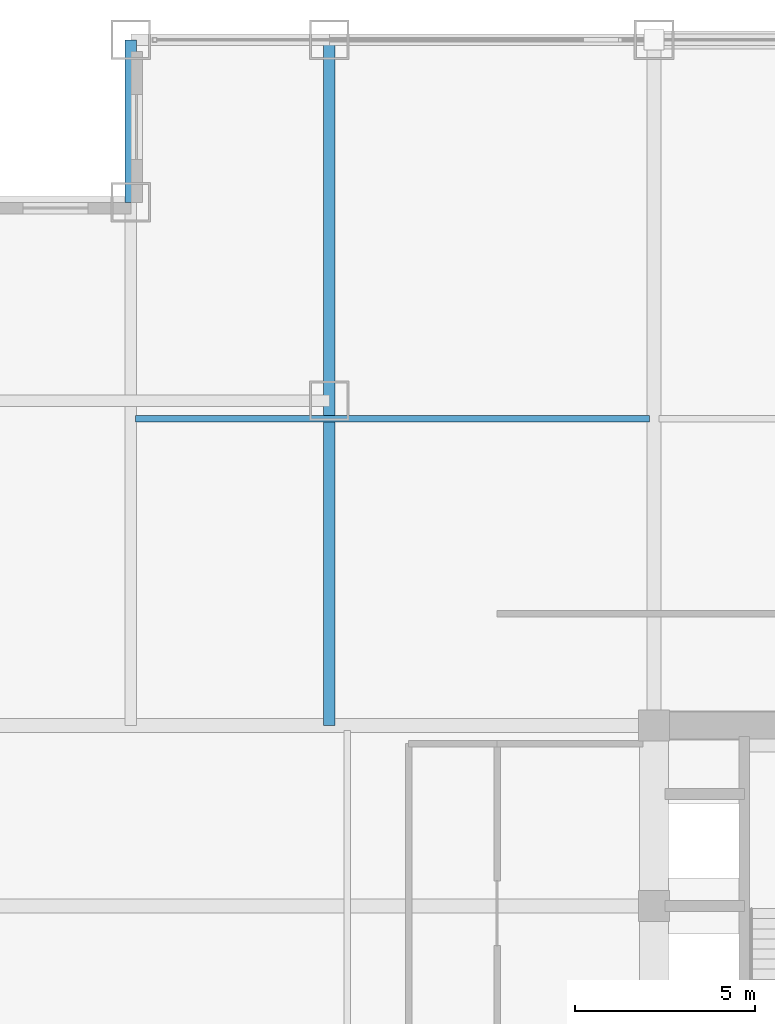
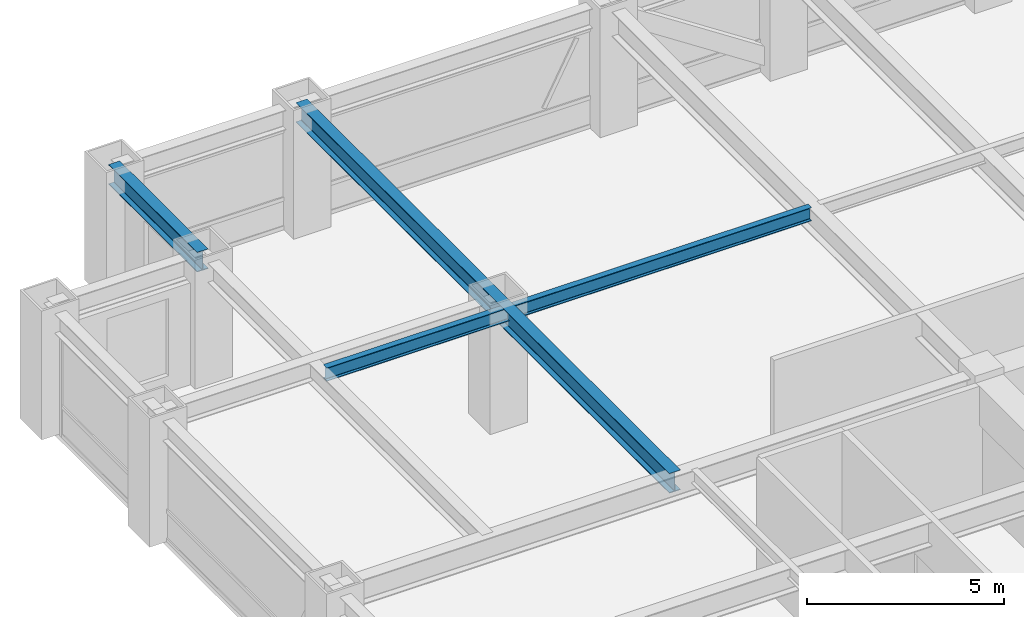
# One storey, part 13 of 24: 3 beams.
"""IFC4 building model written with IfcOpenShell, lengths in metres."""

from ifc_helpers import new_model, si_unit, direction, frame, origin, origin_2d, place, context, subcontext, project, spatial, i_section, extrude, source, transform, mapped, material, material_profile, profile_set, type_object, element, save


model = new_model("IFC4")

# Units and contexts
model_context = context("Model", 3, precision=1e-05, world=origin(), true_north=direction((0.0, 1.0)))
body_context = subcontext(model_context, "Body", "Model", "MODEL_VIEW")
ifc_project = project(units=[si_unit("LENGTHUNIT", "METRE"), si_unit("AREAUNIT", "SQUARE_METRE"), si_unit("VOLUMEUNIT", "CUBIC_METRE"), si_unit("PLANEANGLEUNIT", "RADIAN"), si_unit("MASSUNIT", "GRAM", prefix="KILO")], contexts=[model_context])

# Site, building, storey
site_placement = place(None, origin())
site = spatial("IfcSite", under=ifc_project, at=site_placement, CompositionType="ELEMENT")
building_placement = place(site_placement, origin())
building = spatial("IfcBuilding", under=site, at=building_placement, Name="Khorayat Bourse Tower", CompositionType="ELEMENT")
storey_placement = place(building_placement, frame((0.0, 0.0, 167.10009765625)))
storey = spatial("IfcBuildingStorey", under=building, at=storey_placement, Name="L38", CompositionType="ELEMENT", Elevation=167.10009765625)

# Beams
ifc_material = material(Name="Steel ASTM A992 Grade 50", Category="steel")
ifc_material_profile_1 = material_profile(ifc_material, i_section(OverallWidth=0.324951171875, OverallDepth=0.615966796875, WebThickness=0.013916015625, FlangeThickness=0.021484375, FilletRadius=0.01611328125, at=origin_2d()), Name="W610X174")
ifc_profile_set_1 = profile_set([ifc_material_profile_1], Name="Steel ASTM A992 Grade 50")
beam_type_1 = type_object("IfcBeamType", Name="BM-GIRD-610", PredefinedType="BEAM", material=ifc_profile_set_1)
shared_shape_1 = source(origin(), body_context, "Body", "SweptSolid", [
    extrude(i_section(OverallWidth=0.324951171875, OverallDepth=0.615966796875, WebThickness=0.013916015625, FlangeThickness=0.021484375, FilletRadius=0.01611328125, at=origin_2d()), origin(), (0.0, 0.0, 1.0), 19.0),
])
beam_1_placement = place(storey_placement, frame((-20.0, 11.0, 3.471923828125), z_axis=(0.0, 1.0, 0.0), x_axis=(-1.0, 0.0, 0.0)))
element("IfcBeam", 1, at=beam_1_placement, inside=storey, type_object=beam_type_1, Name="L38 BM-GIRD-610 BM-L38-CNRY-085", PredefinedType="BEAM", context=body_context, shape_type="MappedRepresentation", body=[
    mapped(shared_shape_1, transform((0.0, 0.0, 0.0), scale=1.0)),
])
ifc_material_profile_2 = material_profile(ifc_material, i_section(OverallWidth=0.180908203125, OverallDepth=0.4169921875, WebThickness=0.010986328125, FlangeThickness=0.018310546875, FilletRadius=0.011962890625, at=origin_2d()), Name="W410X85")
ifc_profile_set_2 = profile_set([ifc_material_profile_2], Name="Steel ASTM A992 Grade 50")
beam_type_2 = type_object("IfcBeamType", Name="BM-JOIST-410", PredefinedType="JOIST", material=ifc_profile_set_2)
shared_shape_2 = source(origin(), body_context, "Body", "SweptSolid", [
    extrude(i_section(OverallWidth=0.180908203125, OverallDepth=0.4169921875, WebThickness=0.010986328125, FlangeThickness=0.018310546875, FilletRadius=0.011962890625, at=origin_2d()), origin(), (0.0, 0.0, 1.0), 14.240234375),
])
beam_2_placement = place(storey_placement, frame((-25.3701171875, 19.5, 3.5712890625), z_axis=(1.0, 0.0, 0.0), x_axis=(0.0, 1.0, 0.0)))
element("IfcBeam", 2, at=beam_2_placement, inside=storey, type_object=beam_type_2, Name="L38 BM-JOIST-410 BM-L38-JSTX-099", PredefinedType="JOIST", context=body_context, shape_type="MappedRepresentation", body=[
    mapped(shared_shape_2, transform((0.0, 0.0, 0.0), scale=1.0)),
])
ifc_material_profile_3 = material_profile(ifc_material, i_section(OverallWidth=0.324951171875, OverallDepth=0.615966796875, WebThickness=0.013916015625, FlangeThickness=0.021484375, FilletRadius=0.01611328125, at=origin_2d()), Name="W610X174")
ifc_profile_set_3 = profile_set([ifc_material_profile_3], Name="Steel ASTM A992 Grade 50")
beam_type_3 = type_object("IfcBeamType", Name="BM-SPAN-610", PredefinedType="SPANDREL", material=ifc_profile_set_3)
shared_shape_3 = source(origin(), body_context, "Body", "SweptSolid", [
    extrude(i_section(OverallWidth=0.324951171875, OverallDepth=0.615966796875, WebThickness=0.013916015625, FlangeThickness=0.021484375, FilletRadius=0.01611328125, at=origin_2d()), origin(), (0.0, 0.0, 1.0), 4.5),
])
beam_3_placement = place(storey_placement, frame((-25.5, 25.5, 3.471923828125), z_axis=(0.0, 1.0, 0.0), x_axis=(-1.0, 0.0, 0.0)))
element("IfcBeam", 3, at=beam_3_placement, inside=storey, type_object=beam_type_3, Name="L38 BM-SPAN-610 BM-L38-SPN-052", PredefinedType="SPANDREL", context=body_context, shape_type="MappedRepresentation", body=[
    mapped(shared_shape_3, transform((0.0, 0.0, 0.0), scale=1.0)),
])

save(model, "model.ifc")
